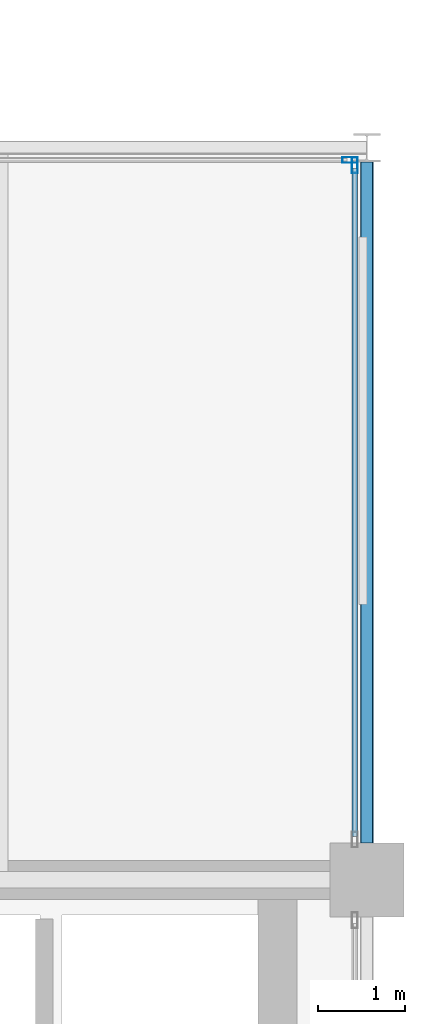
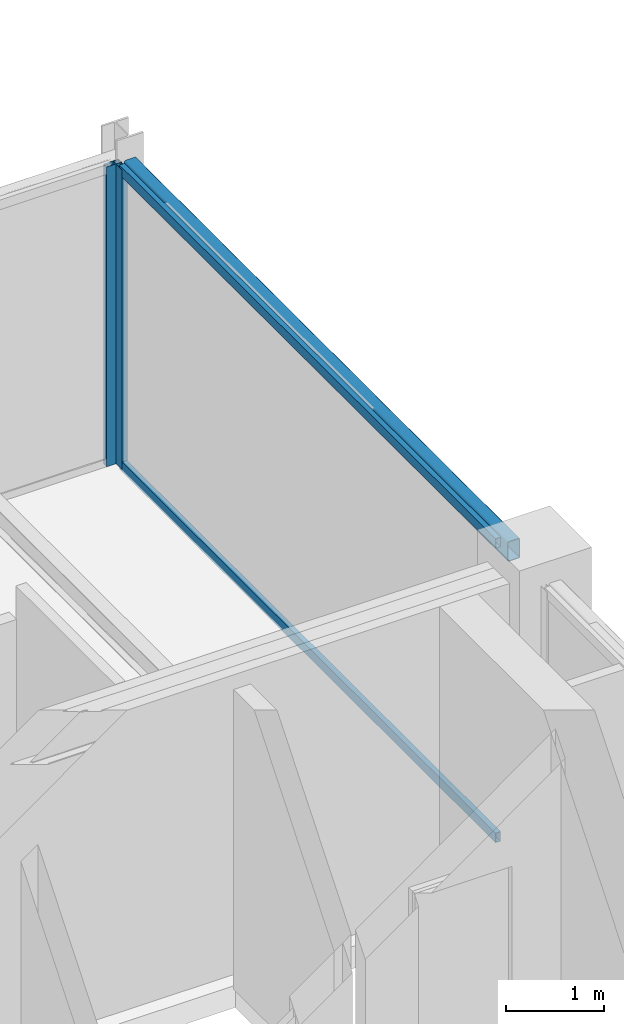
# One storey, part 15 of 24: 4 members, 1 beam, 2 elements without a shape of their own.
"""IFC4 building model written with IfcOpenShell, lengths in metres."""

from ifc_helpers import new_model, si_unit, direction, frame, origin, origin_2d, place, context, subcontext, project, spatial, hollow_rectangle, extrude, material, layer, layer_set, material_profile, profile_set, type_object, element, aggregate, save


model = new_model("IFC4")

# Units and contexts
model_context = context("Model", 3, precision=1e-05, world=origin(), true_north=direction((0.0, 1.0)))
body_context = subcontext(model_context, "Body", "Model", "MODEL_VIEW")
ifc_project = project(units=[si_unit("LENGTHUNIT", "METRE"), si_unit("AREAUNIT", "SQUARE_METRE"), si_unit("VOLUMEUNIT", "CUBIC_METRE"), si_unit("PLANEANGLEUNIT", "RADIAN"), si_unit("MASSUNIT", "GRAM", prefix="KILO")], contexts=[model_context])

# Site, building, storey
site_placement = place(None, origin())
site = spatial("IfcSite", under=ifc_project, at=site_placement, CompositionType="ELEMENT")
building_placement = place(site_placement, origin())
building = spatial("IfcBuilding", under=site, at=building_placement, Name="Nerrivon Quay Data Exchange", CompositionType="ELEMENT")
storey_placement = place(building_placement, frame((0.0, 0.0, 310.199951171875)))
storey = spatial("IfcBuildingStorey", under=building, at=storey_placement, Name="L74", CompositionType="ELEMENT", Elevation=310.199951171875)

# Beam
ifc_material_1 = material(Name="Steel Grade C350L0 (350 MPa)", Category="steel")
ifc_material_profile_1 = material_profile(ifc_material_1, hollow_rectangle(XDim=0.14990234375, YDim=0.25, WallThickness=0.009033203125, InnerFilletRadius=0.013427734375, OuterFilletRadius=0.0224609375, at=origin_2d()), Name="250x150x9.0RHS")
ifc_profile_set_1 = profile_set([ifc_material_profile_1], Name="Steel Grade C350L0 (350 MPa)")
beam_type = type_object("IfcBeamType", Name="BM-SP4-250x150RHS", PredefinedType="SPANDREL", material=ifc_profile_set_1)
beam_placement = place(storey_placement, frame((33.60009765625, 17.22509765625, 3.60009765625), z_axis=(0.0, 1.0, 0.0), x_axis=(-1.0, 0.0, 0.0)))
element("IfcBeam", 1, at=beam_placement, inside=storey, type_object=beam_type, Name="L74 NS Girder X=33.6 (16.8..25.2)", PredefinedType="SPANDREL", context=body_context, shape_type="SweptSolid", body=[
    extrude(hollow_rectangle(XDim=0.14990234375, YDim=0.25, WallThickness=0.009033203125, InnerFilletRadius=0.013427734375, OuterFilletRadius=0.0224609375, at=origin_2d()), origin(), (0.0, 0.0, 1.0), 7.8115234375),
])

# Curtain wall, member
ifc_material_2 = material(Name="Anodised aluminium 6063-T6", Category="aluminium")
ifc_layer = layer(ifc_material_2, 0.195068359375)
ifc_layer_set = layer_set([ifc_layer], Name="Anodised aluminium 6063-T6")
curtain_wall_type = type_object("IfcCurtainWallType", Name="CW-SYS-06", PredefinedType="NOTDEFINED", material=ifc_layer_set)
curtain_wall_1_placement = place(storey_placement, origin())
curtain_wall_1 = element("IfcCurtainWall", 2, at=curtain_wall_1_placement, inside=storey, type_object=curtain_wall_type, Name="L74 Unitised Curtain Wall 21", PredefinedType="NOTDEFINED")
ifc_material_profile_2 = material_profile(ifc_material_2, hollow_rectangle(XDim=0.06494140625, YDim=0.179931640625, WallThickness=0.00341796875, at=origin_2d()), Name="ALU-MULL-180x65")
ifc_profile_set_2 = profile_set([ifc_material_profile_2], Name="Anodised aluminium 6063-T6")
member_type_1 = type_object("IfcMemberType", Name="CWM-180x65", PredefinedType="MULLION", material=ifc_profile_set_2)
member_1_placement = place(storey_placement, frame((33.406982421875, 25.06005859375, 0.0), z_axis=(0.0, 0.0, 1.0), x_axis=(0.0, 1.0, 0.0)))
member_1 = element("IfcMember", 3, at=member_1_placement, type_object=member_type_1, Name="CW06 mullion 2", PredefinedType="MULLION", context=body_context, shape_type="SweptSolid", body=[
    extrude(hollow_rectangle(XDim=0.06494140625, YDim=0.179931640625, WallThickness=0.00341796875, at=origin_2d()), origin(), (0.0, 0.0, 1.0), 3.72509765625),
])
aggregate(curtain_wall_1, [member_1])

# Curtain wall, members
curtain_wall_2_placement = place(storey_placement, origin())
curtain_wall_2 = element("IfcCurtainWall", 4, at=curtain_wall_2_placement, inside=storey, type_object=curtain_wall_type, Name="L74 Unitised Curtain Wall 22", PredefinedType="NOTDEFINED")
member_2_placement = place(storey_placement, frame((33.4599609375, 24.9990234375, 0.0), z_axis=(0.0, 0.0, 1.0), x_axis=(1.0, 0.0, 0.0)))
member_2 = element("IfcMember", 5, at=member_2_placement, type_object=member_type_1, Name="CW06 mullion 1", PredefinedType="MULLION", context=body_context, shape_type="SweptSolid", body=[
    extrude(hollow_rectangle(XDim=0.06494140625, YDim=0.179931640625, WallThickness=0.00341796875, at=origin_2d()), origin(), (0.0, 0.0, 1.0), 3.72509765625),
])
ifc_material_profile_3 = material_profile(ifc_material_2, hollow_rectangle(XDim=0.06005859375, YDim=0.1201171875, WallThickness=0.003173828125, at=origin_2d()), Name="ALU-TRAN-120x60")
ifc_profile_set_3 = profile_set([ifc_material_profile_3], Name="Anodised aluminium 6063-T6")
member_type_2 = type_object("IfcMemberType", Name="CWT-120x60", PredefinedType="USERDEFINED", material=ifc_profile_set_3)
member_3_placement = place(storey_placement, frame((33.4599609375, 24.96142578125, 0.032470703125), z_axis=(0.0, -1.0, 0.0), x_axis=(1.0, 0.0, 0.0)))
member_3 = element("IfcMember", 6, at=member_3_placement, type_object=member_type_2, Name="CW06 transom 1.1", ObjectType="TRANSOM", PredefinedType="USERDEFINED", context=body_context, shape_type="SweptSolid", body=[
    extrude(hollow_rectangle(XDim=0.06005859375, YDim=0.1201171875, WallThickness=0.003173828125, at=origin_2d()), origin(), (0.0, 0.0, 1.0), 7.661376953125),
])
member_4_placement = place(storey_placement, frame((33.4599609375, 24.96142578125, 3.692626953125), z_axis=(0.0, -1.0, 0.0), x_axis=(1.0, 0.0, 0.0)))
member_4 = element("IfcMember", 7, at=member_4_placement, type_object=member_type_2, Name="CW06 transom 1.2", ObjectType="TRANSOM", PredefinedType="USERDEFINED", context=body_context, shape_type="SweptSolid", body=[
    extrude(hollow_rectangle(XDim=0.06005859375, YDim=0.1201171875, WallThickness=0.003173828125, at=origin_2d()), origin(), (0.0, 0.0, 1.0), 7.661376953125),
])
aggregate(curtain_wall_2, [member_2, member_3, member_4])

save(model, "model.ifc")
